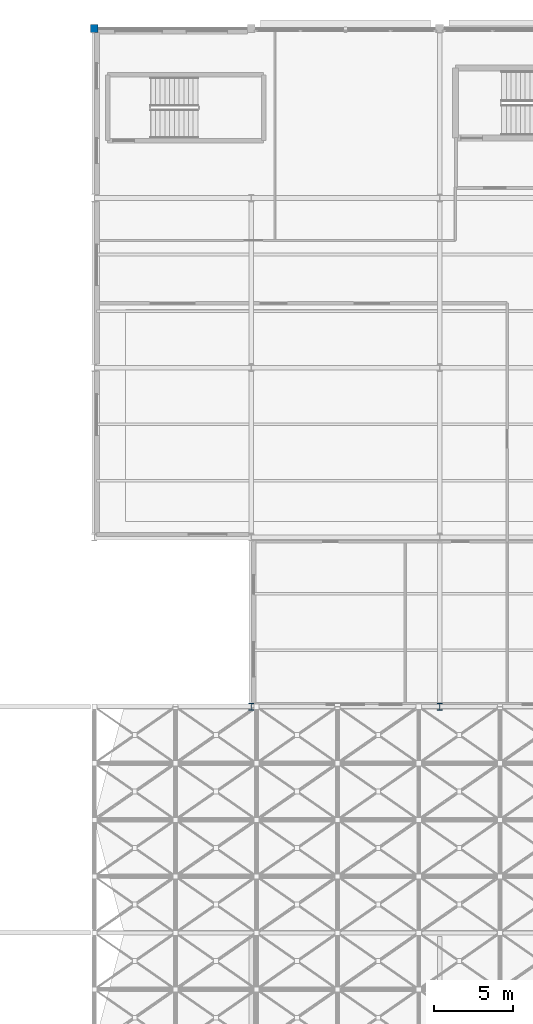
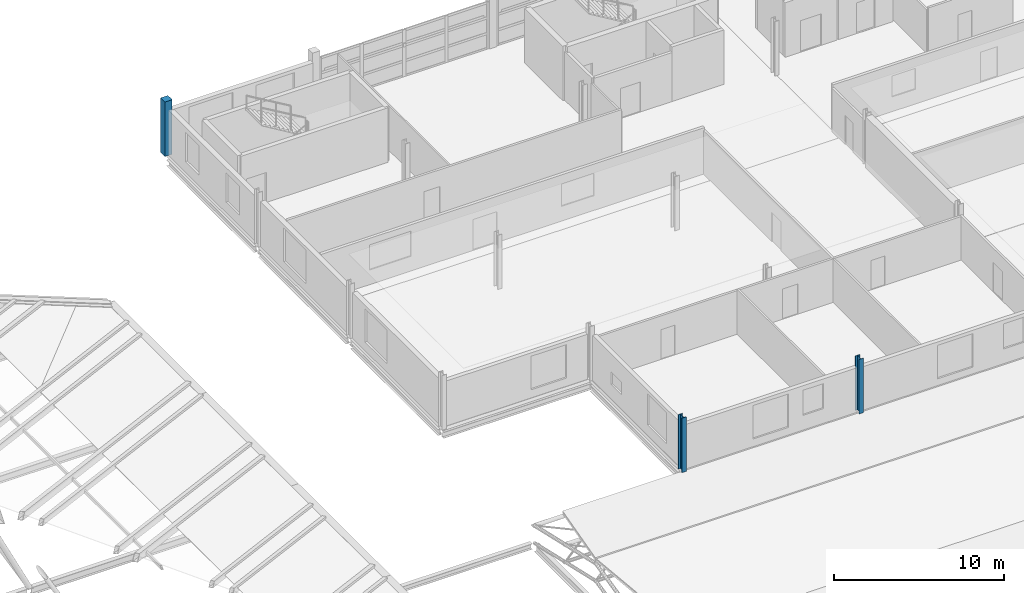
# One storey, part 5 of 110: 3 columns.
"""IFC4 building model written with IfcOpenShell, lengths in metres."""

from ifc_helpers import new_model, si_unit, direction, frame, origin, origin_2d, place, context, subcontext, project, spatial, rectangle, i_section, extrude, material, material_profile, profile_set, type_object, element, save


model = new_model("IFC4")

# Units and contexts
model_context = context("Model", 3, precision=1e-05, world=origin(), true_north=direction((0.0, 1.0)))
body_context = subcontext(model_context, "Body", "Model", "MODEL_VIEW")
ifc_project = project(units=[si_unit("LENGTHUNIT", "METRE"), si_unit("AREAUNIT", "SQUARE_METRE"), si_unit("VOLUMEUNIT", "CUBIC_METRE"), si_unit("PLANEANGLEUNIT", "RADIAN"), si_unit("MASSUNIT", "GRAM", prefix="KILO")], contexts=[model_context])

# Site, building, storey
site_placement = place(None, origin())
site = spatial("IfcSite", under=ifc_project, at=site_placement, CompositionType="ELEMENT")
building_placement = place(site_placement, origin())
building = spatial("IfcBuilding", under=site, at=building_placement, Name="Tamarisk Ironworks Central Station", CompositionType="ELEMENT")
storey_placement = place(building_placement, frame((0.0, 0.0, 17.39990234375)))
storey = spatial("IfcBuildingStorey", under=building, at=storey_placement, Name="L03", CompositionType="ELEMENT", Elevation=17.39990234375)

# Columns
ifc_material_1 = material(Name="Concrete C50/60", Category="concrete")
ifc_material_profile_1 = material_profile(ifc_material_1, rectangle(XDim=0.5, YDim=0.5, at=origin_2d()), Name="RC 500x500")
ifc_profile_set_1 = profile_set([ifc_material_profile_1], Name="Concrete C50/60")
column_type_1 = type_object("IfcColumnType", Name="COL-RC04", PredefinedType="COLUMN", material=ifc_profile_set_1)
column_placement = place(storey_placement, frame((118.0, 122.39990234375, 0.0), z_axis=(0.0, 0.0, 1.0), x_axis=(1.0, 0.0, 0.0)))
element("IfcColumn", 1, at=column_placement, inside=storey, type_object=column_type_1, Name="L03 column V5-15N", PredefinedType="COLUMN", context=body_context, shape_type="SweptSolid", body=[
    extrude(rectangle(XDim=0.5, YDim=0.5, at=origin_2d()), origin(), (0.0, 0.0, 1.0), 3.900146484375),
])
ifc_material_2 = material(Name="Structural steel S355J2", Category="steel")
ifc_material_profile_2 = material_profile(ifc_material_2, i_section(OverallWidth=0.300048828125, OverallDepth=0.449951171875, WebThickness=0.013916015625, FlangeThickness=0.02587890625, at=origin_2d()), Name="HEB 450")
ifc_profile_set_2 = profile_set([ifc_material_profile_2], Name="Structural steel S355J2")
column_type_2 = type_object("IfcColumnType", Name="COL-S08", PredefinedType="COLUMN", material=ifc_profile_set_2)
for number, where, z_axis, x_axis, name in (
    (2, (128.0, 79.199951171875, 0.0), (0.0, 0.0, 1.0), (1.0, 0.0, 0.0), "L03 column V5-16G"),
    (3, (140.0, 79.199951171875, 0.0), (0.0, 0.0, 1.0), (1.0, 0.0, 0.0), "L03 column V5-17G"),
):
    element("IfcColumn", number, at=place(storey_placement, frame(where, z_axis=z_axis, x_axis=x_axis)), inside=storey, type_object=column_type_2, Name=name, PredefinedType="COLUMN", context=body_context, shape_type="SweptSolid", body=[
        extrude(i_section(OverallWidth=0.300048828125, OverallDepth=0.449951171875, WebThickness=0.013916015625, FlangeThickness=0.02587890625, at=origin_2d()), origin(), (0.0, 0.0, 1.0), 3.900146484375),
    ])

save(model, "model.ifc")
